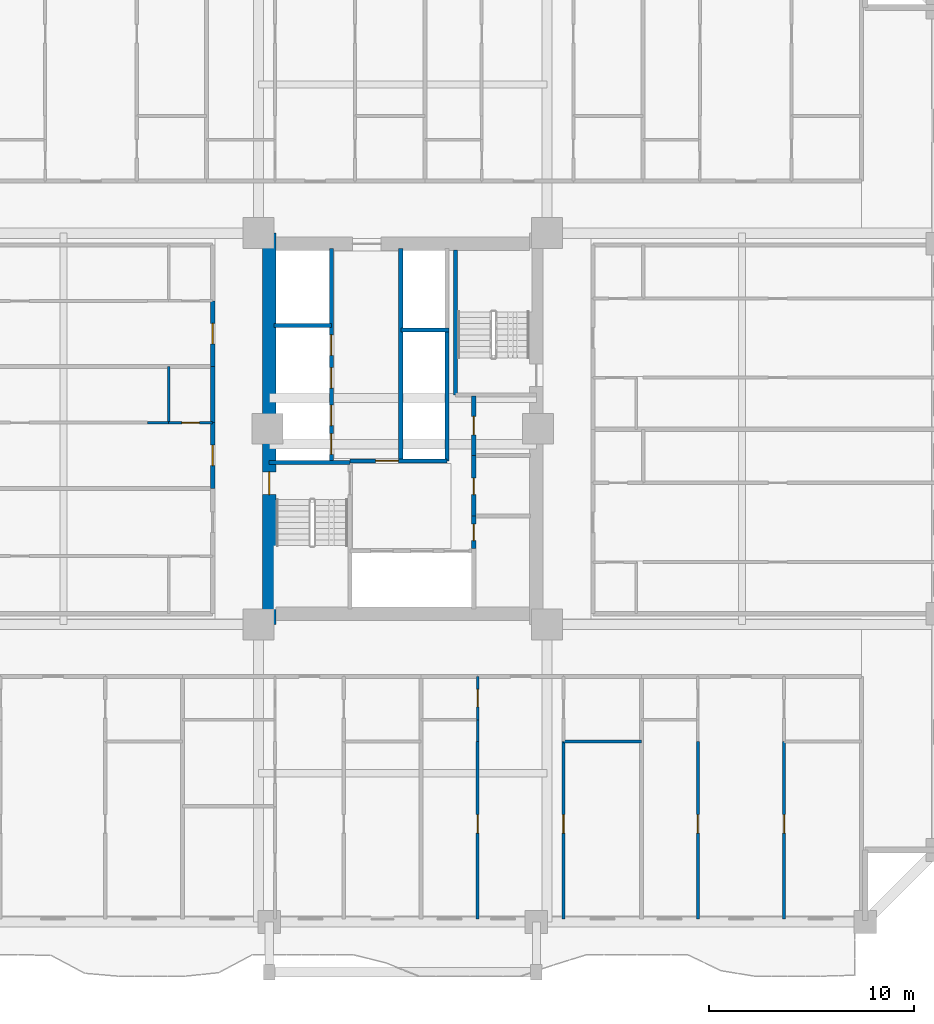
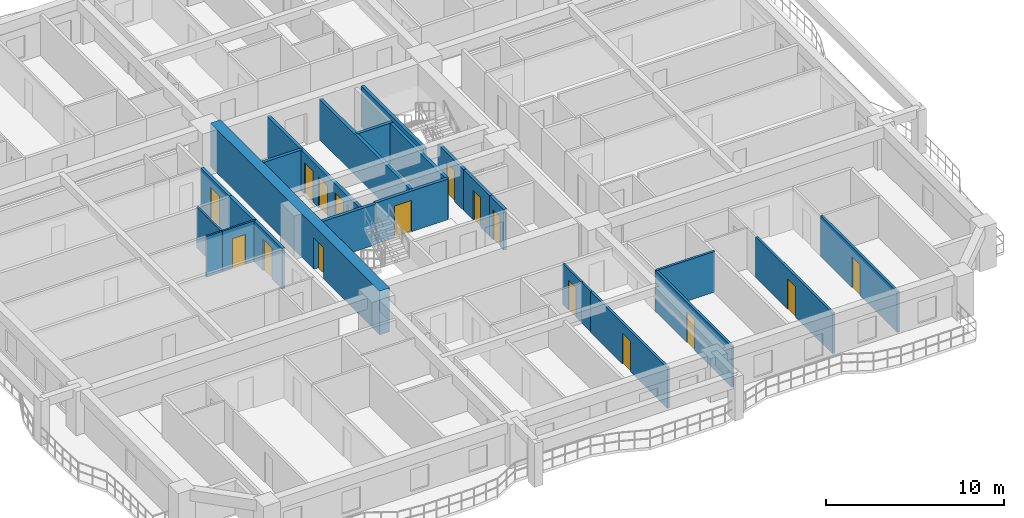
# One storey, part 4 of 16: 25 walls, 17 doors, 17 openings.
"""IFC4 building model written with IfcOpenShell, lengths in metres."""

from ifc_helpers import new_model, si_unit, direction, frame, frame_2d, origin, place, context, subcontext, project, spatial, rectangle, extrude, source, transform, mapped, material, layer, layer_set, type_object, element, fill, save


model = new_model("IFC4")

# Units and contexts
model_context = context("Model", 3, precision=1e-05, world=origin(), true_north=direction((0.0, 1.0)))
body_context = subcontext(model_context, "Body", "Model", "MODEL_VIEW")
ifc_project = project(units=[si_unit("LENGTHUNIT", "METRE"), si_unit("AREAUNIT", "SQUARE_METRE"), si_unit("VOLUMEUNIT", "CUBIC_METRE"), si_unit("PLANEANGLEUNIT", "RADIAN"), si_unit("MASSUNIT", "GRAM", prefix="KILO")], contexts=[model_context])

# Site, building, storey
site_placement = place(None, origin())
site = spatial("IfcSite", under=ifc_project, at=site_placement, CompositionType="ELEMENT")
building_placement = place(site_placement, origin())
building = spatial("IfcBuilding", under=site, at=building_placement, Name="Saelheon Loggia Tower", CompositionType="ELEMENT")
storey_placement = place(building_placement, frame((0.0, 0.0, 31.39990234375)))
storey = spatial("IfcBuildingStorey", under=building, at=storey_placement, Name="L09", CompositionType="ELEMENT", Elevation=31.39990234375)

# Wall, opening, door
ifc_material_1 = material(Name="Concrete C60/75", Category="concrete")
ifc_layer_1 = layer(ifc_material_1, 0.64990234375)
ifc_layer_set_1 = layer_set([ifc_layer_1], Name="Concrete C60/75")
wall_type_1 = type_object("IfcWallType", Name="Wall_CoreShear_650", PredefinedType="SHEAR", material=ifc_layer_set_1)
wall_1_placement = place(storey_placement, frame((31.5, 17.47998046875, 0.0), z_axis=(0.0, 0.0, 1.0), x_axis=(0.0, 1.0, 0.0)))
wall_1 = element("IfcWall", 1, at=wall_1_placement, inside=storey, type_object=wall_type_1, Name="L09 Core Shear Wall West", PredefinedType="SHEAR", context=body_context, shape_type="SweptSolid", body=[
    extrude(rectangle(XDim=19.0400390625, YDim=0.64990234375, at=frame_2d((9.52001953125, 0.0))), origin(), (0.0, 0.0, 1.0), 3.0),
])
opening_1_placement = place(wall_1_placement, frame((6.320068359375, 0.0, 0.0)))
opening_1 = element("IfcOpeningElement", 2, at=opening_1_placement, cuts=wall_1, Name="Opening D-FD2", PredefinedType="OPENING", context=body_context, shape_type="SweptSolid", body=[
    extrude(rectangle(XDim=1.10009765625, YDim=2.14990234375, at=frame_2d((0.550048828125, 1.074951171875))), frame((0.0, 0.3369140625, 0.0), z_axis=(0.0, -1.0, 0.0), x_axis=(1.0, 0.0, 0.0)), (0.0, 0.0, 1.0), 0.673828125),
])
ifc_material_2 = material(Name="Galvanised Steel Fire Door", Category="steel")
door_type_1 = type_object("IfcDoorType", Name="Door_Fire_FD60_1100", OperationType="NOTDEFINED", PredefinedType="DOOR", material=ifc_material_2)
shared_shape_1 = source(origin(), body_context, "Body", "SweptSolid", [
    extrude(rectangle(XDim=1.10009765625, YDim=2.14990234375, at=frame_2d((0.550048828125, 1.074951171875))), frame((0.0, 0.02490234375, 0.0), z_axis=(0.0, -1.0, 0.0), x_axis=(1.0, 0.0, 0.0)), (0.0, 0.0, 1.0), 0.050048828125),
])
door_1_placement = place(opening_1_placement, origin())
door_1 = element("IfcDoor", 3, at=door_1_placement, inside=storey, type_object=door_type_1, Name="L09 Stair ST1 Corridor Door", OperationType="SINGLE_SWING_LEFT", OverallHeight=2.14990234375, OverallWidth=1.10009765625, PredefinedType="DOOR", context=body_context, shape_type="MappedRepresentation", body=[
    mapped(shared_shape_1, transform((0.0, 0.0, 0.0), scale=1.0)),
])
fill(opening_1, door_1)

# Wall
ifc_material_3 = material(Name="Lightweight Autoclaved Aerated Concrete Block and Acoustic Gypsum", Category="concrete")
ifc_layer_2 = layer(ifc_material_3, 0.14990234375)
ifc_layer_set_2 = layer_set([ifc_layer_2], Name="Lightweight Autoclaved Aerated Concrete Block and Acoustic Gypsum")
wall_type_2 = type_object("IfcWallType", Name="Wall_Part_150", PredefinedType="PARTITIONING", material=ifc_layer_set_2)
wall_2_placement = place(storey_placement, frame((45.820068359375, 11.780029296875, 0.0), z_axis=(0.0, 0.0, 1.0), x_axis=(1.0, 0.0, 0.0)))
element("IfcWall", 4, at=wall_2_placement, inside=storey, type_object=wall_type_2, Name="L09 S Partition V31", PredefinedType="PARTITIONING", context=body_context, shape_type="SweptSolid", body=[
    extrude(rectangle(XDim=3.786376953125, YDim=0.14990234375, at=frame_2d((1.89306640625, 0.0))), origin(), (0.0, 0.0, 1.0), 2.7900390625),
])

# Wall, opening, door
wall_3_placement = place(storey_placement, frame((41.642822265625, 11.780029296875, 0.0), z_axis=(0.0, 0.0, 1.0), x_axis=(0.0, -1.0, 0.0)))
wall_3 = element("IfcWall", 5, at=wall_3_placement, inside=storey, type_object=wall_type_2, Name="L09 S Partition U34", PredefinedType="PARTITIONING", context=body_context, shape_type="SweptSolid", body=[
    extrude(rectangle(XDim=8.630126953125, YDim=0.14990234375, at=frame_2d((4.31494140625, 0.0))), origin(), (0.0, 0.0, 1.0), 2.7900390625),
])
opening_2_placement = place(wall_3_placement, frame((3.56298828125, 0.0, 0.0)))
opening_2 = element("IfcOpeningElement", 6, at=opening_2_placement, cuts=wall_3, Name="Opening D-IN2", PredefinedType="OPENING", context=body_context, shape_type="SweptSolid", body=[
    extrude(rectangle(XDim=0.89990234375, YDim=2.10009765625, at=frame_2d((0.449951171875, 1.050048828125))), frame((0.0, 0.0869140625, 0.0), z_axis=(0.0, -1.0, 0.0), x_axis=(1.0, 0.0, 0.0)), (0.0, 0.0, 1.0), 0.173828125),
])
ifc_material_4 = material(Name="Engineered Oak Flush Door", Category="timber")
door_type_2 = type_object("IfcDoorType", Name="Door_Int_900", OperationType="NOTDEFINED", PredefinedType="DOOR", material=ifc_material_4)
shared_shape_2 = source(origin(), body_context, "Body", "SweptSolid", [
    extrude(rectangle(XDim=0.89990234375, YDim=2.10009765625, at=frame_2d((0.449951171875, 1.050048828125))), frame((0.0, 0.02490234375, 0.0), z_axis=(0.0, -1.0, 0.0), x_axis=(1.0, 0.0, 0.0)), (0.0, 0.0, 1.0), 0.050048828125),
])
door_2_placement = place(opening_2_placement, origin())
door_2 = element("IfcDoor", 7, at=door_2_placement, inside=storey, type_object=door_type_2, Name="Unit U03 Kitchen Door", OperationType="SINGLE_SWING_RIGHT", OverallHeight=2.10009765625, OverallWidth=0.89990234375, PredefinedType="DOOR", context=body_context, shape_type="MappedRepresentation", body=[
    mapped(shared_shape_2, transform((0.0, 0.0, 0.0), scale=1.0)),
])
fill(opening_2, door_2)

wall_4_placement = place(storey_placement, frame((45.820068359375, 11.780029296875, 0.0), z_axis=(0.0, 0.0, 1.0), x_axis=(0.0, -1.0, 0.0)))
wall_4 = element("IfcWall", 8, at=wall_4_placement, inside=storey, type_object=wall_type_2, Name="L09 S Partition U36", PredefinedType="PARTITIONING", context=body_context, shape_type="SweptSolid", body=[
    extrude(rectangle(XDim=8.630126953125, YDim=0.14990234375, at=frame_2d((4.31494140625, 0.0))), origin(), (0.0, 0.0, 1.0), 2.7900390625),
])
opening_3_placement = place(wall_4_placement, frame((3.56298828125, 0.0, 0.0)))
opening_3 = element("IfcOpeningElement", 9, at=opening_3_placement, cuts=wall_4, Name="Opening D-IN2", PredefinedType="OPENING", context=body_context, shape_type="SweptSolid", body=[
    extrude(rectangle(XDim=0.89990234375, YDim=2.10009765625, at=frame_2d((0.449951171875, 1.050048828125))), frame((0.0, 0.0869140625, 0.0), z_axis=(0.0, -1.0, 0.0), x_axis=(1.0, 0.0, 0.0)), (0.0, 0.0, 1.0), 0.173828125),
])
door_3_placement = place(opening_3_placement, origin())
door_3 = element("IfcDoor", 10, at=door_3_placement, inside=storey, type_object=door_type_2, Name="Unit U03 Bedroom 1 Door", OperationType="SINGLE_SWING_RIGHT", OverallHeight=2.10009765625, OverallWidth=0.89990234375, PredefinedType="DOOR", context=body_context, shape_type="MappedRepresentation", body=[
    mapped(shared_shape_2, transform((0.0, 0.0, 0.0), scale=1.0)),
])
fill(opening_3, door_3)

wall_5_placement = place(storey_placement, frame((52.3564453125, 11.780029296875, 0.0), z_axis=(0.0, 0.0, 1.0), x_axis=(0.0, -1.0, 0.0)))
wall_5 = element("IfcWall", 11, at=wall_5_placement, inside=storey, type_object=wall_type_2, Name="L09 S Partition U45", PredefinedType="PARTITIONING", context=body_context, shape_type="SweptSolid", body=[
    extrude(rectangle(XDim=8.630126953125, YDim=0.14990234375, at=frame_2d((4.31494140625, 0.0))), origin(), (0.0, 0.0, 1.0), 2.7900390625),
])
opening_4_placement = place(wall_5_placement, frame((3.56298828125, 0.0, 0.0)))
opening_4 = element("IfcOpeningElement", 12, at=opening_4_placement, cuts=wall_5, Name="Opening D-IN2", PredefinedType="OPENING", context=body_context, shape_type="SweptSolid", body=[
    extrude(rectangle(XDim=0.89990234375, YDim=2.10009765625, at=frame_2d((0.449951171875, 1.050048828125))), frame((0.0, 0.0869140625, 0.0), z_axis=(0.0, -1.0, 0.0), x_axis=(1.0, 0.0, 0.0)), (0.0, 0.0, 1.0), 0.173828125),
])
door_4_placement = place(opening_4_placement, origin())
door_4 = element("IfcDoor", 13, at=door_4_placement, inside=storey, type_object=door_type_2, Name="Unit U04 Kitchen Door", OperationType="SINGLE_SWING_LEFT", OverallHeight=2.10009765625, OverallWidth=0.89990234375, PredefinedType="DOOR", context=body_context, shape_type="MappedRepresentation", body=[
    mapped(shared_shape_2, transform((0.0, 0.0, 0.0), scale=1.0)),
])
fill(opening_4, door_4)

wall_6_placement = place(storey_placement, frame((56.55419921875, 11.780029296875, 0.0), z_axis=(0.0, 0.0, 1.0), x_axis=(0.0, -1.0, 0.0)))
wall_6 = element("IfcWall", 14, at=wall_6_placement, inside=storey, type_object=wall_type_2, Name="L09 S Partition U47", PredefinedType="PARTITIONING", context=body_context, shape_type="SweptSolid", body=[
    extrude(rectangle(XDim=8.630126953125, YDim=0.14990234375, at=frame_2d((4.31494140625, 0.0))), origin(), (0.0, 0.0, 1.0), 2.7900390625),
])
opening_5_placement = place(wall_6_placement, frame((3.56298828125, 0.0, 0.0)))
opening_5 = element("IfcOpeningElement", 15, at=opening_5_placement, cuts=wall_6, Name="Opening D-IN2", PredefinedType="OPENING", context=body_context, shape_type="SweptSolid", body=[
    extrude(rectangle(XDim=0.89990234375, YDim=2.10009765625, at=frame_2d((0.449951171875, 1.050048828125))), frame((0.0, 0.0869140625, 0.0), z_axis=(0.0, -1.0, 0.0), x_axis=(1.0, 0.0, 0.0)), (0.0, 0.0, 1.0), 0.173828125),
])
door_5_placement = place(opening_5_placement, origin())
door_5 = element("IfcDoor", 16, at=door_5_placement, inside=storey, type_object=door_type_2, Name="Unit U04 Bedroom 1 Door", OperationType="SINGLE_SWING_LEFT", OverallHeight=2.10009765625, OverallWidth=0.89990234375, PredefinedType="DOOR", context=body_context, shape_type="MappedRepresentation", body=[
    mapped(shared_shape_2, transform((0.0, 0.0, 0.0), scale=1.0)),
])
fill(opening_5, door_5)

ifc_material_5 = material(Name="Double Acoustic Stud and Fireboard Partition", Category="gypsum")
ifc_layer_3 = layer(ifc_material_5, 0.199951171875)
ifc_layer_set_3 = layer_set([ifc_layer_3], Name="Double Acoustic Stud and Fireboard Partition")
wall_type_3 = type_object("IfcWallType", Name="Wall_Party_200", PredefinedType="PARTITIONING", material=ifc_layer_set_3)
wall_7_placement = place(storey_placement, frame((28.75, 24.10302734375, 0.0), z_axis=(0.0, 0.0, 1.0), x_axis=(0.0, 1.0, 0.0)))
wall_7 = element("IfcWall", 17, at=wall_7_placement, inside=storey, type_object=wall_type_3, Name="L09 W Partition V10", PredefinedType="PARTITIONING", context=body_context, shape_type="SweptSolid", body=[
    extrude(rectangle(XDim=3.19873046875, YDim=0.199951171875, at=frame_2d((1.599365234375, 0.0))), origin(), (0.0, 0.0, 1.0), 2.7900390625),
])
opening_6_placement = place(wall_7_placement, frame((1.099365234375, 0.0, 0.0)))
opening_6 = element("IfcOpeningElement", 18, at=opening_6_placement, cuts=wall_7, Name="Opening D-FD1", PredefinedType="OPENING", context=body_context, shape_type="SweptSolid", body=[
    extrude(rectangle(XDim=1.0, YDim=2.14990234375, at=frame_2d((0.5, 1.074951171875))), frame((0.0, 0.112060546875, 0.0), z_axis=(0.0, -1.0, 0.0), x_axis=(1.0, 0.0, 0.0)), (0.0, 0.0, 1.0), 0.223876953125),
])
ifc_material_6 = material(Name="Fire-Rated Engineered Timber Entrance Door", Category="wood")
door_type_3 = type_object("IfcDoorType", Name="Door_Flat_FD30S", OperationType="NOTDEFINED", PredefinedType="DOOR", material=ifc_material_6)
shared_shape_3 = source(origin(), body_context, "Body", "SweptSolid", [
    extrude(rectangle(XDim=1.0, YDim=2.14990234375, at=frame_2d((0.5, 1.074951171875))), frame((0.0, 0.02490234375, 0.0), z_axis=(0.0, -1.0, 0.0), x_axis=(1.0, 0.0, 0.0)), (0.0, 0.0, 1.0), 0.050048828125),
])
door_6_placement = place(opening_6_placement, origin())
door_6 = element("IfcDoor", 19, at=door_6_placement, inside=storey, type_object=door_type_3, Name="Unit U10 Entrance Door", OperationType="SINGLE_SWING_RIGHT", OverallHeight=2.14990234375, OverallWidth=1.0, PredefinedType="DOOR", context=body_context, shape_type="MappedRepresentation", body=[
    mapped(shared_shape_3, transform((0.0, 0.0, 0.0), scale=1.0)),
])
fill(opening_6, door_6)

# Wall
wall_8_placement = place(storey_placement, frame((28.75, 27.3017578125, 0.0), z_axis=(0.0, 0.0, 1.0), x_axis=(0.0, 1.0, 0.0)))
element("IfcWall", 20, at=wall_8_placement, inside=storey, type_object=wall_type_3, Name="L09 W Partition V11", PredefinedType="PARTITIONING", context=body_context, shape_type="SweptSolid", body=[
    extrude(rectangle(XDim=2.724853515625, YDim=0.199951171875, at=frame_2d((1.3623046875, 0.0))), origin(), (0.0, 0.0, 1.0), 2.7900390625),
])

# Wall, opening, door
wall_9_placement = place(storey_placement, frame((28.75, 30.026611328125, 0.0), z_axis=(0.0, 0.0, 1.0), x_axis=(0.0, 1.0, 0.0)))
wall_9 = element("IfcWall", 21, at=wall_9_placement, inside=storey, type_object=wall_type_3, Name="L09 W Partition V17", PredefinedType="PARTITIONING", context=body_context, shape_type="SweptSolid", body=[
    extrude(rectangle(XDim=3.198486328125, YDim=0.199951171875, at=frame_2d((1.59912109375, 0.0))), origin(), (0.0, 0.0, 1.0), 2.7900390625),
])
opening_7_placement = place(wall_9_placement, frame((1.099365234375, 0.0, 0.0)))
opening_7 = element("IfcOpeningElement", 22, at=opening_7_placement, cuts=wall_9, Name="Opening D-FD1", PredefinedType="OPENING", context=body_context, shape_type="SweptSolid", body=[
    extrude(rectangle(XDim=1.0, YDim=2.14990234375, at=frame_2d((0.5, 1.074951171875))), frame((0.0, 0.112060546875, 0.0), z_axis=(0.0, -1.0, 0.0), x_axis=(1.0, 0.0, 0.0)), (0.0, 0.0, 1.0), 0.223876953125),
])
door_7_placement = place(opening_7_placement, origin())
door_7 = element("IfcDoor", 23, at=door_7_placement, inside=storey, type_object=door_type_3, Name="Unit U11 Entrance Door", OperationType="SINGLE_SWING_LEFT", OverallHeight=2.14990234375, OverallWidth=1.0, PredefinedType="DOOR", context=body_context, shape_type="MappedRepresentation", body=[
    mapped(shared_shape_3, transform((0.0, 0.0, 0.0), scale=1.0)),
])
fill(opening_7, door_7)

ifc_material_7 = material(Name="Concrete C40/50", Category="concrete")
ifc_layer_4 = layer(ifc_material_7, 0.199951171875)
ifc_layer_set_4 = layer_set([ifc_layer_4], Name="Concrete C40/50")
wall_type_4 = type_object("IfcWallType", Name="Wall_Shaft_200", PredefinedType="PARTITIONING", material=ifc_layer_set_4)
wall_10_placement = place(storey_placement, frame((41.449951171875, 21.179931640625, 0.0), z_axis=(0.0, 0.0, 1.0), x_axis=(0.0, 1.0, 0.0)))
wall_10 = element("IfcWall", 24, at=wall_10_placement, inside=storey, type_object=wall_type_4, Name="CW-INT-L09-BOH-W1", PredefinedType="PARTITIONING", context=body_context, shape_type="SweptSolid", body=[
    extrude(rectangle(XDim=1.570068359375, YDim=0.199951171875, at=frame_2d((0.78515625, 0.0))), origin(), (0.0, 0.0, 1.0), 2.7900390625),
])
opening_8_placement = place(wall_10_placement, frame((0.3798828125, 0.0, 0.0)))
opening_8 = element("IfcOpeningElement", 25, at=opening_8_placement, cuts=wall_10, Name="Opening D-ST1", PredefinedType="OPENING", context=body_context, shape_type="SweptSolid", body=[
    extrude(rectangle(XDim=0.800048828125, YDim=2.050048828125, at=frame_2d((0.39990234375, 1.02490234375))), frame((0.0, 0.112060546875, 0.0), z_axis=(0.0, -1.0, 0.0), x_axis=(1.0, 0.0, 0.0)), (0.0, 0.0, 1.0), 0.223876953125),
])
ifc_material_8 = material(Name="Powder-Coated Steel Store Door", Category="steel")
door_type_4 = type_object("IfcDoorType", Name="Door_Store_800", OperationType="NOTDEFINED", PredefinedType="DOOR", material=ifc_material_8)
shared_shape_4 = source(origin(), body_context, "Body", "SweptSolid", [
    extrude(rectangle(XDim=0.800048828125, YDim=2.050048828125, at=frame_2d((0.39990234375, 1.02490234375))), frame((0.0, 0.02490234375, 0.0), z_axis=(0.0, -1.0, 0.0), x_axis=(1.0, 0.0, 0.0)), (0.0, 0.0, 1.0), 0.050048828125),
])
door_8_placement = place(opening_8_placement, origin())
door_8 = element("IfcDoor", 26, at=door_8_placement, inside=storey, type_object=door_type_4, Name="L09 Cleaner Store Door", OperationType="SINGLE_SWING_RIGHT", OverallHeight=2.050048828125, OverallWidth=0.800048828125, PredefinedType="DOOR", context=body_context, shape_type="MappedRepresentation", body=[
    mapped(shared_shape_4, transform((0.0, 0.0, 0.0), scale=1.0)),
])
fill(opening_8, door_8)

wall_11_placement = place(storey_placement, frame((41.449951171875, 22.75, 0.0), z_axis=(0.0, 0.0, 1.0), x_axis=(0.0, 1.0, 0.0)))
wall_11 = element("IfcWall", 27, at=wall_11_placement, inside=storey, type_object=wall_type_4, Name="CW-INT-L09-BOH-W2", PredefinedType="PARTITIONING", context=body_context, shape_type="SweptSolid", body=[
    extrude(rectangle(XDim=2.949951171875, YDim=0.199951171875, at=frame_2d((1.47509765625, 0.0))), origin(), (0.0, 0.0, 1.0), 2.7900390625),
])
opening_9_placement = place(wall_11_placement, frame((1.050048828125, 0.0, 0.0)))
opening_9 = element("IfcOpeningElement", 28, at=opening_9_placement, cuts=wall_11, Name="Opening D-ST1", PredefinedType="OPENING", context=body_context, shape_type="SweptSolid", body=[
    extrude(rectangle(XDim=0.800048828125, YDim=2.050048828125, at=frame_2d((0.39990234375, 1.02490234375))), frame((0.0, 0.112060546875, 0.0), z_axis=(0.0, -1.0, 0.0), x_axis=(1.0, 0.0, 0.0)), (0.0, 0.0, 1.0), 0.223876953125),
])
door_9_placement = place(opening_9_placement, origin())
door_9 = element("IfcDoor", 29, at=door_9_placement, inside=storey, type_object=door_type_4, Name="L09 Electrical Riser Door", OperationType="SINGLE_SWING_LEFT", OverallHeight=2.050048828125, OverallWidth=0.800048828125, PredefinedType="DOOR", context=body_context, shape_type="MappedRepresentation", body=[
    mapped(shared_shape_4, transform((0.0, 0.0, 0.0), scale=1.0)),
])
fill(opening_9, door_9)

wall_12_placement = place(storey_placement, frame((41.449951171875, 25.699951171875, 0.0), z_axis=(0.0, 0.0, 1.0), x_axis=(0.0, 1.0, 0.0)))
wall_12 = element("IfcWall", 30, at=wall_12_placement, inside=storey, type_object=wall_type_4, Name="CW-INT-L09-BOH-W3", PredefinedType="PARTITIONING", context=body_context, shape_type="SweptSolid", body=[
    extrude(rectangle(XDim=2.900146484375, YDim=0.199951171875, at=frame_2d((1.4501953125, 0.0))), origin(), (0.0, 0.0, 1.0), 2.7900390625),
])
opening_10_placement = place(wall_12_placement, frame((1.0, 0.0, 0.0)))
opening_10 = element("IfcOpeningElement", 31, at=opening_10_placement, cuts=wall_12, Name="Opening D-RS1", PredefinedType="OPENING", context=body_context, shape_type="SweptSolid", body=[
    extrude(rectangle(XDim=0.89990234375, YDim=2.10009765625, at=frame_2d((0.449951171875, 1.050048828125))), frame((0.0, 0.112060546875, 0.0), z_axis=(0.0, -1.0, 0.0), x_axis=(1.0, 0.0, 0.0)), (0.0, 0.0, 1.0), 0.223876953125),
])
ifc_material_9 = material(Name="Galvanised Steel Riser Access Door", Category="steel")
door_type_5 = type_object("IfcDoorType", Name="Door_Riser_FD60", OperationType="NOTDEFINED", PredefinedType="DOOR", material=ifc_material_9)
door_10_placement = place(opening_10_placement, origin())
door_10 = element("IfcDoor", 32, at=door_10_placement, inside=storey, type_object=door_type_5, Name="L09 Floor IT Room Door", OperationType="SINGLE_SWING_RIGHT", OverallHeight=2.10009765625, OverallWidth=0.89990234375, PredefinedType="DOOR", context=body_context, shape_type="MappedRepresentation", body=[
    mapped(shared_shape_2, transform((0.0, 0.0, 0.0), scale=1.0)),
])
fill(opening_10, door_10)

# Wall
wall_13_placement = place(storey_placement, frame((40.14990234375, 25.43994140625, 0.0), z_axis=(0.0, 0.0, 1.0), x_axis=(0.0, 1.0, 0.0)))
element("IfcWall", 33, at=wall_13_placement, inside=storey, type_object=wall_type_4, Name="L09 Core Service Passage West Wall", PredefinedType="PARTITIONING", context=body_context, shape_type="SweptSolid", body=[
    extrude(rectangle(XDim=6.360107421875, YDim=0.199951171875, at=frame_2d((3.18017578125, 0.0))), origin(), (0.0, 0.0, 1.0), 2.7900390625),
])

# Wall, opening, door
wall_14_placement = place(storey_placement, frame((35.429931640625, 25.43994140625, 0.0), z_axis=(0.0, 0.0, 1.0), x_axis=(1.0, 0.0, 0.0)))
wall_14 = element("IfcWall", 34, at=wall_14_placement, inside=storey, type_object=wall_type_4, Name="L09 Firefighting Lobby Compartment Wall", PredefinedType="PARTITIONING", context=body_context, shape_type="SweptSolid", body=[
    extrude(rectangle(XDim=4.719970703125, YDim=0.199951171875, at=frame_2d((2.35986328125, 0.0))), origin(), (0.0, 0.0, 1.0), 2.7900390625),
])
opening_11_placement = place(wall_14_placement, frame((1.25, 0.0, 0.0)))
opening_11 = element("IfcOpeningElement", 35, at=opening_11_placement, cuts=wall_14, Name="Opening D-FD2", PredefinedType="OPENING", context=body_context, shape_type="SweptSolid", body=[
    extrude(rectangle(XDim=1.10009765625, YDim=2.14990234375, at=frame_2d((0.550048828125, 1.074951171875))), frame((0.0, 0.112060546875, 0.0), z_axis=(0.0, -1.0, 0.0), x_axis=(1.0, 0.0, 0.0)), (0.0, 0.0, 1.0), 0.223876953125),
])
door_11_placement = place(opening_11_placement, origin())
door_11 = element("IfcDoor", 36, at=door_11_placement, inside=storey, type_object=door_type_1, Name="L09 Firefighting Lobby Door", OperationType="SINGLE_SWING_LEFT", OverallHeight=2.14990234375, OverallWidth=1.10009765625, PredefinedType="DOOR", context=body_context, shape_type="MappedRepresentation", body=[
    mapped(shared_shape_1, transform((0.0, 0.0, 0.0), scale=1.0)),
])
fill(opening_11, door_11)

# Wall, openings, doors
wall_15_placement = place(storey_placement, frame((34.52001953125, 25.43994140625, 0.0), z_axis=(0.0, 0.0, 1.0), x_axis=(0.0, 1.0, 0.0)))
wall_15 = element("IfcWall", 37, at=wall_15_placement, inside=storey, type_object=wall_type_4, Name="L09 West Passenger Lift Bank Wall", PredefinedType="PARTITIONING", context=body_context, shape_type="SweptSolid", body=[
    extrude(rectangle(XDim=10.340087890625, YDim=0.199951171875, at=frame_2d((5.169921875, 0.0))), origin(), (0.0, 0.0, 1.0), 2.7900390625),
])
opening_12_placement = place(wall_15_placement, frame((0.320068359375, 0.0, 0.0)))
opening_12 = element("IfcOpeningElement", 38, at=opening_12_placement, cuts=wall_15, Name="Opening LD1", PredefinedType="OPENING", context=body_context, shape_type="SweptSolid", body=[
    extrude(rectangle(XDim=1.0, YDim=2.14990234375, at=frame_2d((0.5, 1.074951171875))), frame((0.0, 0.112060546875, 0.0), z_axis=(0.0, -1.0, 0.0), x_axis=(1.0, 0.0, 0.0)), (0.0, 0.0, 1.0), 0.223876953125),
])
opening_13_placement = place(wall_15_placement, frame((1.7099609375, 0.0, 0.0)))
opening_13 = element("IfcOpeningElement", 39, at=opening_13_placement, cuts=wall_15, Name="Opening LD1", PredefinedType="OPENING", context=body_context, shape_type="SweptSolid", body=[
    extrude(rectangle(XDim=1.0, YDim=2.14990234375, at=frame_2d((0.5, 1.074951171875))), frame((0.0, 0.112060546875, 0.0), z_axis=(0.0, -1.0, 0.0), x_axis=(1.0, 0.0, 0.0)), (0.0, 0.0, 1.0), 0.223876953125),
])
opening_14_placement = place(wall_15_placement, frame((3.534912109375, 0.0, 0.0)))
opening_14 = element("IfcOpeningElement", 40, at=opening_14_placement, cuts=wall_15, Name="Opening LD1", PredefinedType="OPENING", context=body_context, shape_type="SweptSolid", body=[
    extrude(rectangle(XDim=1.0, YDim=2.14990234375, at=frame_2d((0.5, 1.074951171875))), frame((0.0, 0.112060546875, 0.0), z_axis=(0.0, -1.0, 0.0), x_axis=(1.0, 0.0, 0.0)), (0.0, 0.0, 1.0), 0.223876953125),
])
opening_15_placement = place(wall_15_placement, frame((5.135009765625, 0.0, 0.0)))
opening_15 = element("IfcOpeningElement", 41, at=opening_15_placement, cuts=wall_15, Name="Opening LD1", PredefinedType="OPENING", context=body_context, shape_type="SweptSolid", body=[
    extrude(rectangle(XDim=1.0, YDim=2.14990234375, at=frame_2d((0.5, 1.074951171875))), frame((0.0, 0.112060546875, 0.0), z_axis=(0.0, -1.0, 0.0), x_axis=(1.0, 0.0, 0.0)), (0.0, 0.0, 1.0), 0.223876953125),
])
ifc_material_10 = material(Name="Brushed Stainless Steel 304 Landing Door", Category="steel")
door_type_6 = type_object("IfcDoorType", Name="Door_Lift_LD1", OperationType="DOUBLE_DOOR_SLIDING", PredefinedType="DOOR", material=ifc_material_10)
door_12_placement = place(opening_12_placement, origin())
door_12 = element("IfcDoor", 42, at=door_12_placement, inside=storey, type_object=door_type_6, Name="L09 PL1 Landing Door", OperationType="DOUBLE_DOOR_SLIDING", OverallHeight=2.14990234375, OverallWidth=1.0, PredefinedType="DOOR", context=body_context, shape_type="MappedRepresentation", body=[
    mapped(shared_shape_3, transform((0.0, 0.0, 0.0), scale=1.0)),
])
fill(opening_12, door_12)
door_13_placement = place(opening_13_placement, origin())
door_13 = element("IfcDoor", 43, at=door_13_placement, inside=storey, type_object=door_type_6, Name="L09 PL2 Landing Door", OperationType="DOUBLE_DOOR_SLIDING", OverallHeight=2.14990234375, OverallWidth=1.0, PredefinedType="DOOR", context=body_context, shape_type="MappedRepresentation", body=[
    mapped(shared_shape_3, transform((0.0, 0.0, 0.0), scale=1.0)),
])
fill(opening_13, door_13)
door_14_placement = place(opening_14_placement, origin())
door_14 = element("IfcDoor", 44, at=door_14_placement, inside=storey, type_object=door_type_6, Name="L09 PL3 Landing Door", OperationType="DOUBLE_DOOR_SLIDING", OverallHeight=2.14990234375, OverallWidth=1.0, PredefinedType="DOOR", context=body_context, shape_type="MappedRepresentation", body=[
    mapped(shared_shape_3, transform((0.0, 0.0, 0.0), scale=1.0)),
])
fill(opening_14, door_14)
door_15_placement = place(opening_15_placement, origin())
door_15 = element("IfcDoor", 45, at=door_15_placement, inside=storey, type_object=door_type_6, Name="L09 PL4 Landing Door", OperationType="DOUBLE_DOOR_SLIDING", OverallHeight=2.14990234375, OverallWidth=1.0, PredefinedType="DOOR", context=body_context, shape_type="MappedRepresentation", body=[
    mapped(shared_shape_3, transform((0.0, 0.0, 0.0), scale=1.0)),
])
fill(opening_15, door_15)

# Walls
wall_16_placement = place(storey_placement, frame((31.719970703125, 32.02001953125, 0.0), z_axis=(0.0, 0.0, 1.0), x_axis=(1.0, 0.0, 0.0)))
element("IfcWall", 46, at=wall_16_placement, inside=storey, type_object=wall_type_4, Name="L09 West High-Rise Shaft Divider", PredefinedType="PARTITIONING", context=body_context, shape_type="SweptSolid", body=[
    extrude(rectangle(XDim=2.800048828125, YDim=0.199951171875, at=frame_2d((1.39990234375, 0.0))), origin(), (0.0, 0.0, 1.0), 2.7900390625),
])
wall_17_placement = place(storey_placement, frame((37.89990234375, 25.43994140625, 0.0), z_axis=(0.0, 0.0, 1.0), x_axis=(0.0, 1.0, 0.0)))
element("IfcWall", 47, at=wall_17_placement, inside=storey, type_object=wall_type_4, Name="L09 East Passenger Lift Bank Wall", PredefinedType="PARTITIONING", context=body_context, shape_type="SweptSolid", body=[
    extrude(rectangle(XDim=10.340087890625, YDim=0.199951171875, at=frame_2d((5.169921875, 0.0))), origin(), (0.0, 0.0, 1.0), 2.7900390625),
])
wall_18_placement = place(storey_placement, frame((37.89990234375, 31.800048828125, 0.0), z_axis=(0.0, 0.0, 1.0), x_axis=(1.0, 0.0, 0.0)))
element("IfcWall", 48, at=wall_18_placement, inside=storey, type_object=wall_type_4, Name="L09 East High-Rise Shaft Divider", PredefinedType="PARTITIONING", context=body_context, shape_type="SweptSolid", body=[
    extrude(rectangle(XDim=2.35009765625, YDim=0.199951171875, at=frame_2d((1.175048828125, 0.0))), origin(), (0.0, 0.0, 1.0), 2.7900390625),
])
ifc_material_11 = material(Name="Concrete C45/55", Category="concrete")
ifc_layer_5 = layer(ifc_material_11, 0.199951171875)
ifc_layer_set_5 = layer_set([ifc_layer_5], Name="Concrete C45/55")
wall_type_5 = type_object("IfcWallType", Name="Wall_StairShaft_RC200", PredefinedType="SOLIDWALL", material=ifc_layer_set_5)
wall_19_placement = place(storey_placement, frame((31.5, 25.35009765625, 0.0), z_axis=(0.0, 0.0, 1.0), x_axis=(1.0, 0.0, 0.0)))
element("IfcWall", 49, at=wall_19_placement, inside=storey, type_object=wall_type_5, Name="L09 Stair ST1 North Wall", PredefinedType="SOLIDWALL", context=body_context, shape_type="SweptSolid", body=[
    extrude(rectangle(XDim=3.929931640625, YDim=0.199951171875, at=frame_2d((1.96484375, 0.0))), origin(), (0.0, 0.0, 1.0), 2.7900390625),
])
wall_20_placement = place(storey_placement, frame((40.570068359375, 28.64990234375, 0.0), z_axis=(0.0, 0.0, 1.0), x_axis=(0.0, 1.0, 0.0)))
element("IfcWall", 50, at=wall_20_placement, inside=storey, type_object=wall_type_5, Name="L09 Stair ST2 Shaft Wall", PredefinedType="SOLIDWALL", context=body_context, shape_type="SweptSolid", body=[
    extrude(rectangle(XDim=7.050048828125, YDim=0.199951171875, at=frame_2d((3.52490234375, 0.0))), origin(), (0.0, 0.0, 1.0), 2.7900390625),
])

# Wall, opening, door
ifc_material_12 = material(Name="Moisture-Resistant Cement Board Partition", Category="gypsum")
ifc_layer_6 = layer(ifc_material_12, 0.1201171875)
ifc_layer_set_6 = layer_set([ifc_layer_6], Name="Moisture-Resistant Cement Board Partition")
wall_type_6 = type_object("IfcWallType", Name="Wall_WetPart_120", PredefinedType="PARTITIONING", material=ifc_layer_set_6)
wall_21_placement = place(storey_placement, frame((41.642822265625, 14.949951171875, 0.0), z_axis=(0.0, 0.0, 1.0), x_axis=(0.0, -1.0, 0.0)))
wall_21 = element("IfcWall", 51, at=wall_21_placement, inside=storey, type_object=wall_type_6, Name="L09 S Partition U32", PredefinedType="PARTITIONING", context=body_context, shape_type="SweptSolid", body=[
    extrude(rectangle(XDim=2.119873046875, YDim=0.1201171875, at=frame_2d((1.06005859375, 0.0))), origin(), (0.0, 0.0, 1.0), 2.7900390625),
])
opening_16_placement = place(wall_21_placement, frame((0.635009765625, 0.0, 0.0)))
opening_16 = element("IfcOpeningElement", 52, at=opening_16_placement, cuts=wall_21, Name="Opening D-BT1", PredefinedType="OPENING", context=body_context, shape_type="SweptSolid", body=[
    extrude(rectangle(XDim=0.85009765625, YDim=2.050048828125, at=frame_2d((0.425048828125, 1.02490234375))), frame((0.0, 0.072021484375, 0.0), z_axis=(0.0, -1.0, 0.0), x_axis=(1.0, 0.0, 0.0)), (0.0, 0.0, 1.0), 0.14404296875),
])
ifc_material_13 = material(Name="Moisture-Resistant Laminate Timber Door", Category="wood")
door_type_7 = type_object("IfcDoorType", Name="Door_Bath_850", OperationType="NOTDEFINED", PredefinedType="DOOR", material=ifc_material_13)
shared_shape_5 = source(origin(), body_context, "Body", "SweptSolid", [
    extrude(rectangle(XDim=0.85009765625, YDim=2.050048828125, at=frame_2d((0.425048828125, 1.02490234375))), frame((0.0, 0.02490234375, 0.0), z_axis=(0.0, -1.0, 0.0), x_axis=(1.0, 0.0, 0.0)), (0.0, 0.0, 1.0), 0.050048828125),
])
door_16_placement = place(opening_16_placement, origin())
door_16 = element("IfcDoor", 53, at=door_16_placement, inside=storey, type_object=door_type_7, Name="Unit U03 Bathroom Door", OperationType="SINGLE_SWING_LEFT", OverallHeight=2.050048828125, OverallWidth=0.85009765625, PredefinedType="DOOR", context=body_context, shape_type="MappedRepresentation", body=[
    mapped(shared_shape_5, transform((0.0, 0.0, 0.0), scale=1.0)),
])
fill(opening_16, door_16)

# Wall
wall_22_placement = place(storey_placement, frame((41.642822265625, 12.830078125, 0.0), z_axis=(0.0, 0.0, 1.0), x_axis=(0.0, -1.0, 0.0)))
element("IfcWall", 54, at=wall_22_placement, inside=storey, type_object=wall_type_6, Name="L09 S Partition U33", PredefinedType="PARTITIONING", context=body_context, shape_type="SweptSolid", body=[
    extrude(rectangle(XDim=1.050048828125, YDim=0.1201171875, at=frame_2d((0.52490234375, 0.0))), origin(), (0.0, 0.0, 1.0), 2.7900390625),
])

# Wall, opening, door
wall_23_placement = place(storey_placement, frame((28.75, 27.3017578125, 0.0), z_axis=(0.0, 0.0, 1.0), x_axis=(-1.0, 0.0, 0.0)))
wall_23 = element("IfcWall", 55, at=wall_23_placement, inside=storey, type_object=wall_type_6, Name="L09 W Partition U12", PredefinedType="PARTITIONING", context=body_context, shape_type="SweptSolid", body=[
    extrude(rectangle(XDim=2.14990234375, YDim=0.1201171875, at=frame_2d((1.074951171875, 0.0))), origin(), (0.0, 0.0, 1.0), 2.7900390625),
])
opening_17_placement = place(wall_23_placement, frame((0.64990234375, 0.0, 0.0)))
opening_17 = element("IfcOpeningElement", 56, at=opening_17_placement, cuts=wall_23, Name="Opening D-BT1", PredefinedType="OPENING", context=body_context, shape_type="SweptSolid", body=[
    extrude(rectangle(XDim=0.85009765625, YDim=2.050048828125, at=frame_2d((0.425048828125, 1.02490234375))), frame((0.0, 0.072021484375, 0.0), z_axis=(0.0, -1.0, 0.0), x_axis=(1.0, 0.0, 0.0)), (0.0, 0.0, 1.0), 0.14404296875),
])
door_17_placement = place(opening_17_placement, origin())
door_17 = element("IfcDoor", 57, at=door_17_placement, inside=storey, type_object=door_type_7, Name="Unit U10 Bathroom Door", OperationType="SINGLE_SWING_LEFT", OverallHeight=2.050048828125, OverallWidth=0.85009765625, PredefinedType="DOOR", context=body_context, shape_type="MappedRepresentation", body=[
    mapped(shared_shape_5, transform((0.0, 0.0, 0.0), scale=1.0)),
])
fill(opening_17, door_17)

# Walls
wall_24_placement = place(storey_placement, frame((26.60009765625, 27.3017578125, 0.0), z_axis=(0.0, 0.0, 1.0), x_axis=(-1.0, 0.0, 0.0)))
element("IfcWall", 58, at=wall_24_placement, inside=storey, type_object=wall_type_6, Name="L09 W Partition U13", PredefinedType="PARTITIONING", context=body_context, shape_type="SweptSolid", body=[
    extrude(rectangle(XDim=1.02001953125, YDim=0.1201171875, at=frame_2d((0.510009765625, 0.0))), origin(), (0.0, 0.0, 1.0), 2.7900390625),
])
wall_25_placement = place(storey_placement, frame((26.60009765625, 27.3017578125, 0.0), z_axis=(0.0, 0.0, 1.0), x_axis=(0.0, 1.0, 0.0)))
element("IfcWall", 59, at=wall_25_placement, inside=storey, type_object=wall_type_6, Name="L09 W Partition V14", PredefinedType="PARTITIONING", context=body_context, shape_type="SweptSolid", body=[
    extrude(rectangle(XDim=2.724853515625, YDim=0.1201171875, at=frame_2d((1.3623046875, 0.0))), origin(), (0.0, 0.0, 1.0), 2.7900390625),
])

save(model, "model.ifc")
